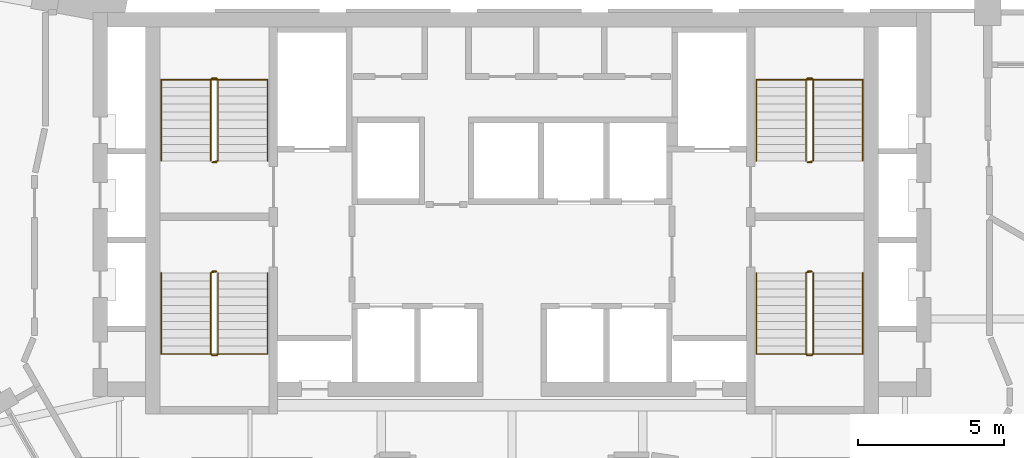
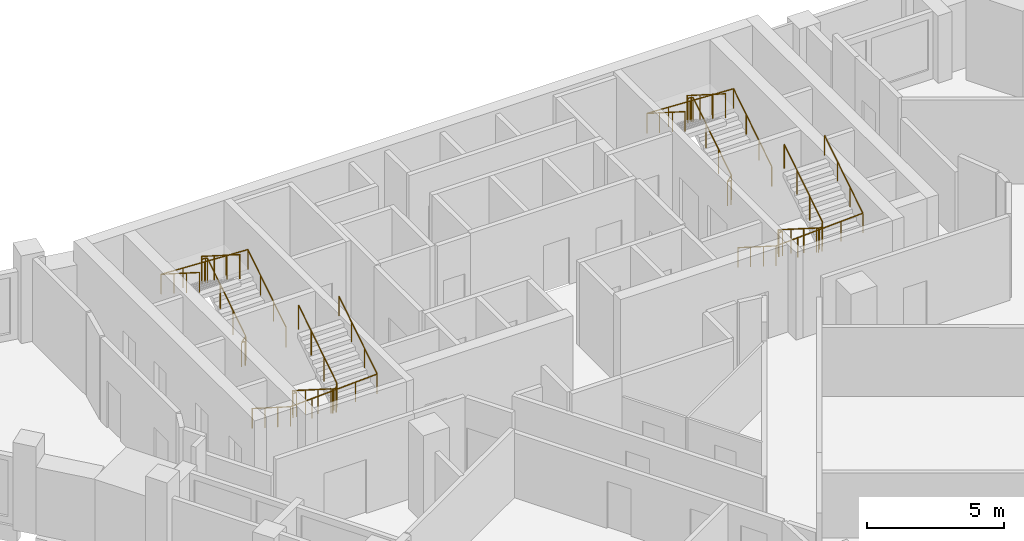
# One storey, part 9 of 9: 8 railings.
"""IFC4 building model written with IfcOpenShell, lengths in metres."""

from ifc_helpers import new_model, si_unit, direction, frame, origin, origin_2d, place, context, subcontext, project, spatial, circle, extrude, material, type_object, element, save


model = new_model("IFC4")

# Units and contexts
model_context = context("Model", 3, precision=1e-05, world=origin(), true_north=direction((0.0, 1.0)))
body_context = subcontext(model_context, "Body", "Model", "MODEL_VIEW")
ifc_project = project(units=[si_unit("LENGTHUNIT", "METRE"), si_unit("AREAUNIT", "SQUARE_METRE"), si_unit("VOLUMEUNIT", "CUBIC_METRE"), si_unit("PLANEANGLEUNIT", "RADIAN"), si_unit("MASSUNIT", "GRAM", prefix="KILO")], contexts=[model_context])

# Site, building, storey
site_placement = place(None, origin())
site = spatial("IfcSite", under=ifc_project, at=site_placement, CompositionType="ELEMENT")
building_placement = place(site_placement, origin())
building = spatial("IfcBuilding", under=site, at=building_placement, Name="Calabash Gate Tower", CompositionType="ELEMENT")
storey_placement = place(building_placement, frame((0.0, 0.0, 223.699951171875)))
storey = spatial("IfcBuildingStorey", under=building, at=storey_placement, Name="L53", CompositionType="ELEMENT", Elevation=223.699951171875)

# Railings
ifc_material_1 = material(Name="Black powder-coated steel balusters", Category="steel")
railing_type_1 = type_object("IfcRailingType", Name="Stair guard RL1100", PredefinedType="GUARDRAIL", material=ifc_material_1)
railing_1_placement = place(storey_placement, frame((-10.14990234375, 13.902587890625, 0.0)))
element("IfcRailing", 1, at=railing_1_placement, inside=storey, type_object=railing_type_1, Name="L53 ST1 stair guard 1", PredefinedType="GUARDRAIL", context=body_context, shape_type="SweptSolid", body=[
    extrude(circle(Radius=0.02392578125, at=origin_2d()), frame((0.0, 0.0, 1.076171875), z_axis=(-1.0, 0.0, 0.0), x_axis=(0.0, -1.0, 0.0)), (0.0, 0.0, 1.0), 0.150146484375),
    extrude(circle(Radius=0.02392578125, at=origin_2d()), frame((-0.150146484375, 0.0, 1.076171875), z_axis=(0.735524641326, 0.184105679453, 0.652003528208), x_axis=(-0.242814311512, 0.970072785993, 0.0)), (0.0, 0.0, 1.0), 0.271728515625),
    extrude(circle(Radius=0.02392578125, at=origin_2d()), frame((0.0498046875, 0.050048828125, 1.25341796875), z_axis=(0.0, 0.844041424197, 0.536277982245), x_axis=(-1.0, 0.0, 0.0)), (0.0, 0.0, 1.0), 3.3056640625),
    extrude(circle(Radius=0.02392578125, at=origin_2d()), frame((0.0498046875, 2.840087890625, 3.02587890625), z_axis=(-0.707106781187, 0.707106781187, 0.0), x_axis=(-0.707106781187, -0.707106781187, 0.0)), (0.0, 0.0, 1.0), 0.0703125),
    extrude(circle(Radius=0.02392578125, at=origin_2d()), frame((0.0, 2.889892578125, 3.02587890625), z_axis=(-1.0, 0.0, 0.0), x_axis=(0.0, -1.0, 0.0)), (0.0, 0.0, 1.0), 0.150146484375),
    extrude(circle(Radius=0.02392578125, at=origin_2d()), frame((-0.150146484375, 2.889892578125, 3.02587890625), z_axis=(-0.262009983441, -0.260731885961, 0.929176868105), x_axis=(0.705375805398, -0.708833529934, 0.0)), (0.0, 0.0, 1.0), 0.19091796875),
    extrude(circle(Radius=0.02392578125, at=origin_2d()), frame((-0.2001953125, 2.840087890625, 3.20361328125), z_axis=(0.0, -0.844041424197, 0.536277982245), x_axis=(1.0, 0.0, 0.0)), (0.0, 0.0, 1.0), 3.3056640625),
    extrude(circle(Radius=0.02099609375, at=origin_2d()), origin(), (0.0, 0.0, 1.0), 1.052001953125),
    extrude(circle(Radius=0.02099609375, at=origin_2d()), frame((-0.150146484375, 0.0, 0.0)), (0.0, 0.0, 1.0), 1.052001953125),
    extrude(circle(Radius=0.02099609375, at=origin_2d()), frame((0.0498046875, 0.050048828125, 0.17724609375)), (0.0, 0.0, 1.0), 1.052001953125),
    extrude(circle(Radius=0.02099609375, at=origin_2d()), frame((0.0498046875, 0.97998046875, 0.76806640625)), (0.0, 0.0, 1.0), 1.052001953125),
    extrude(circle(Radius=0.02099609375, at=origin_2d()), frame((0.0498046875, 1.91015625, 1.359130859375)), (0.0, 0.0, 1.0), 1.052001953125),
    extrude(circle(Radius=0.02099609375, at=origin_2d()), frame((0.0498046875, 2.840087890625, 1.949951171875)), (0.0, 0.0, 1.0), 1.052001953125),
    extrude(circle(Radius=0.02099609375, at=origin_2d()), frame((0.0, 2.889892578125, 1.949951171875)), (0.0, 0.0, 1.0), 1.052001953125),
    extrude(circle(Radius=0.02099609375, at=origin_2d()), frame((-0.150146484375, 2.889892578125, 1.949951171875)), (0.0, 0.0, 1.0), 1.052001953125),
    extrude(circle(Radius=0.02099609375, at=origin_2d()), frame((-0.2001953125, 2.840087890625, 2.12744140625)), (0.0, 0.0, 1.0), 1.052001953125),
    extrude(circle(Radius=0.02099609375, at=origin_2d()), frame((-0.2001953125, 1.91015625, 2.71826171875)), (0.0, 0.0, 1.0), 1.052001953125),
    extrude(circle(Radius=0.02099609375, at=origin_2d()), frame((-0.2001953125, 0.97998046875, 3.309326171875)), (0.0, 0.0, 1.0), 1.052001953125),
    extrude(circle(Radius=0.02099609375, at=origin_2d()), frame((-0.2001953125, 0.050048828125, 3.900146484375)), (0.0, 0.0, 1.0), 1.052001953125),
])
railing_2_placement = place(storey_placement, frame((-10.300048828125, 10.152587890625, 0.0)))
element("IfcRailing", 2, at=railing_2_placement, inside=storey, type_object=railing_type_1, Name="L53 ST2 stair guard 1", PredefinedType="GUARDRAIL", context=body_context, shape_type="SweptSolid", body=[
    extrude(circle(Radius=0.02392578125, at=origin_2d()), frame((0.0, 0.0, 1.076171875), z_axis=(1.0, 0.0, 0.0), x_axis=(0.0, 1.0, 0.0)), (0.0, 0.0, 1.0), 0.150146484375),
    extrude(circle(Radius=0.02392578125, at=origin_2d()), frame((0.150146484375, 0.0, 1.076171875), z_axis=(-0.735936453418, -0.183984113355, 0.651573006319), x_axis=(0.242535625036, -0.970142500145, 0.0)), (0.0, 0.0, 1.0), 0.27197265625),
    extrude(circle(Radius=0.02392578125, at=origin_2d()), frame((-0.050048828125, -0.050048828125, 1.25341796875), z_axis=(0.0, -0.844041424197, 0.536277982245), x_axis=(1.0, 0.0, 0.0)), (0.0, 0.0, 1.0), 3.3056640625),
    extrude(circle(Radius=0.02392578125, at=origin_2d()), frame((-0.050048828125, -2.840087890625, 3.02587890625), z_axis=(0.708833529934, -0.705375805398, 0.0), x_axis=(0.705375805398, 0.708833529934, 0.0)), (0.0, 0.0, 1.0), 0.070556640625),
    extrude(circle(Radius=0.02392578125, at=origin_2d()), frame((0.0, -2.889892578125, 3.02587890625), z_axis=(1.0, 0.0, 0.0), x_axis=(0.0, 1.0, 0.0)), (0.0, 0.0, 1.0), 0.150146484375),
    extrude(circle(Radius=0.02392578125, at=origin_2d()), frame((0.150146484375, -2.889892578125, 3.02587890625), z_axis=(0.26081902908, 0.26081902908, 0.92948742226), x_axis=(-0.707106781187, 0.707106781187, 0.0)), (0.0, 0.0, 1.0), 0.19091796875),
    extrude(circle(Radius=0.02392578125, at=origin_2d()), frame((0.199951171875, -2.840087890625, 3.20361328125), z_axis=(0.0, 0.844041424197, 0.536277982245), x_axis=(-1.0, 0.0, 0.0)), (0.0, 0.0, 1.0), 3.3056640625),
    extrude(circle(Radius=0.02099609375, at=origin_2d()), origin(), (0.0, 0.0, 1.0), 1.052001953125),
    extrude(circle(Radius=0.02099609375, at=origin_2d()), frame((0.150146484375, 0.0, 0.0)), (0.0, 0.0, 1.0), 1.052001953125),
    extrude(circle(Radius=0.02099609375, at=origin_2d()), frame((-0.050048828125, -0.050048828125, 0.17724609375)), (0.0, 0.0, 1.0), 1.052001953125),
    extrude(circle(Radius=0.02099609375, at=origin_2d()), frame((-0.050048828125, -0.97998046875, 0.76806640625)), (0.0, 0.0, 1.0), 1.052001953125),
    extrude(circle(Radius=0.02099609375, at=origin_2d()), frame((-0.050048828125, -1.91015625, 1.359130859375)), (0.0, 0.0, 1.0), 1.052001953125),
    extrude(circle(Radius=0.02099609375, at=origin_2d()), frame((-0.050048828125, -2.840087890625, 1.949951171875)), (0.0, 0.0, 1.0), 1.052001953125),
    extrude(circle(Radius=0.02099609375, at=origin_2d()), frame((0.0, -2.889892578125, 1.949951171875)), (0.0, 0.0, 1.0), 1.052001953125),
    extrude(circle(Radius=0.02099609375, at=origin_2d()), frame((0.150146484375, -2.889892578125, 1.949951171875)), (0.0, 0.0, 1.0), 1.052001953125),
    extrude(circle(Radius=0.02099609375, at=origin_2d()), frame((0.199951171875, -2.840087890625, 2.12744140625)), (0.0, 0.0, 1.0), 1.052001953125),
    extrude(circle(Radius=0.02099609375, at=origin_2d()), frame((0.199951171875, -1.91015625, 2.71826171875)), (0.0, 0.0, 1.0), 1.052001953125),
    extrude(circle(Radius=0.02099609375, at=origin_2d()), frame((0.199951171875, -0.97998046875, 3.309326171875)), (0.0, 0.0, 1.0), 1.052001953125),
    extrude(circle(Radius=0.02099609375, at=origin_2d()), frame((0.199951171875, -0.050048828125, 3.900146484375)), (0.0, 0.0, 1.0), 1.052001953125),
])
railing_3_placement = place(storey_placement, frame((10.300048828125, 13.902587890625, 0.0)))
element("IfcRailing", 3, at=railing_3_placement, inside=storey, type_object=railing_type_1, Name="L53 ST3 stair guard 1", PredefinedType="GUARDRAIL", context=body_context, shape_type="SweptSolid", body=[
    extrude(circle(Radius=0.02392578125, at=origin_2d()), frame((0.0, 0.0, 1.076171875), z_axis=(-1.0, 0.0, 0.0), x_axis=(0.0, -1.0, 0.0)), (0.0, 0.0, 1.0), 0.150146484375),
    extrude(circle(Radius=0.02392578125, at=origin_2d()), frame((-0.150146484375, 0.0, 1.076171875), z_axis=(0.735936453418, 0.183984113355, 0.651573006319), x_axis=(-0.242535625036, 0.970142500145, 0.0)), (0.0, 0.0, 1.0), 0.27197265625),
    extrude(circle(Radius=0.02392578125, at=origin_2d()), frame((0.050048828125, 0.050048828125, 1.25341796875), z_axis=(0.0, 0.844041424197, 0.536277982245), x_axis=(-1.0, 0.0, 0.0)), (0.0, 0.0, 1.0), 3.3056640625),
    extrude(circle(Radius=0.02392578125, at=origin_2d()), frame((0.050048828125, 2.840087890625, 3.02587890625), z_axis=(-0.708833529934, 0.705375805398, 0.0), x_axis=(-0.705375805398, -0.708833529934, 0.0)), (0.0, 0.0, 1.0), 0.070556640625),
    extrude(circle(Radius=0.02392578125, at=origin_2d()), frame((0.0, 2.889892578125, 3.02587890625), z_axis=(-1.0, 0.0, 0.0), x_axis=(0.0, -1.0, 0.0)), (0.0, 0.0, 1.0), 0.150146484375),
    extrude(circle(Radius=0.02392578125, at=origin_2d()), frame((-0.150146484375, 2.889892578125, 3.02587890625), z_axis=(-0.26081902908, -0.26081902908, 0.92948742226), x_axis=(0.707106781187, -0.707106781187, 0.0)), (0.0, 0.0, 1.0), 0.19091796875),
    extrude(circle(Radius=0.02392578125, at=origin_2d()), frame((-0.199951171875, 2.840087890625, 3.20361328125), z_axis=(0.0, -0.844041424197, 0.536277982245), x_axis=(1.0, 0.0, 0.0)), (0.0, 0.0, 1.0), 3.3056640625),
    extrude(circle(Radius=0.02099609375, at=origin_2d()), origin(), (0.0, 0.0, 1.0), 1.052001953125),
    extrude(circle(Radius=0.02099609375, at=origin_2d()), frame((-0.150146484375, 0.0, 0.0)), (0.0, 0.0, 1.0), 1.052001953125),
    extrude(circle(Radius=0.02099609375, at=origin_2d()), frame((0.050048828125, 0.050048828125, 0.17724609375)), (0.0, 0.0, 1.0), 1.052001953125),
    extrude(circle(Radius=0.02099609375, at=origin_2d()), frame((0.050048828125, 0.97998046875, 0.76806640625)), (0.0, 0.0, 1.0), 1.052001953125),
    extrude(circle(Radius=0.02099609375, at=origin_2d()), frame((0.050048828125, 1.91015625, 1.359130859375)), (0.0, 0.0, 1.0), 1.052001953125),
    extrude(circle(Radius=0.02099609375, at=origin_2d()), frame((0.050048828125, 2.840087890625, 1.949951171875)), (0.0, 0.0, 1.0), 1.052001953125),
    extrude(circle(Radius=0.02099609375, at=origin_2d()), frame((0.0, 2.889892578125, 1.949951171875)), (0.0, 0.0, 1.0), 1.052001953125),
    extrude(circle(Radius=0.02099609375, at=origin_2d()), frame((-0.150146484375, 2.889892578125, 1.949951171875)), (0.0, 0.0, 1.0), 1.052001953125),
    extrude(circle(Radius=0.02099609375, at=origin_2d()), frame((-0.199951171875, 2.840087890625, 2.12744140625)), (0.0, 0.0, 1.0), 1.052001953125),
    extrude(circle(Radius=0.02099609375, at=origin_2d()), frame((-0.199951171875, 1.91015625, 2.71826171875)), (0.0, 0.0, 1.0), 1.052001953125),
    extrude(circle(Radius=0.02099609375, at=origin_2d()), frame((-0.199951171875, 0.97998046875, 3.309326171875)), (0.0, 0.0, 1.0), 1.052001953125),
    extrude(circle(Radius=0.02099609375, at=origin_2d()), frame((-0.199951171875, 0.050048828125, 3.900146484375)), (0.0, 0.0, 1.0), 1.052001953125),
])
railing_4_placement = place(storey_placement, frame((10.14990234375, 10.152587890625, 0.0)))
element("IfcRailing", 4, at=railing_4_placement, inside=storey, type_object=railing_type_1, Name="L53 ST4 stair guard 1", PredefinedType="GUARDRAIL", context=body_context, shape_type="SweptSolid", body=[
    extrude(circle(Radius=0.02392578125, at=origin_2d()), frame((0.0, 0.0, 1.076171875), z_axis=(1.0, 0.0, 0.0), x_axis=(0.0, 1.0, 0.0)), (0.0, 0.0, 1.0), 0.150146484375),
    extrude(circle(Radius=0.02392578125, at=origin_2d()), frame((0.150146484375, 0.0, 1.076171875), z_axis=(-0.735524641326, -0.184105679453, 0.652003528208), x_axis=(0.242814311512, -0.970072785993, 0.0)), (0.0, 0.0, 1.0), 0.271728515625),
    extrude(circle(Radius=0.02392578125, at=origin_2d()), frame((-0.0498046875, -0.050048828125, 1.25341796875), z_axis=(0.0, -0.844041424197, 0.536277982245), x_axis=(1.0, 0.0, 0.0)), (0.0, 0.0, 1.0), 3.3056640625),
    extrude(circle(Radius=0.02392578125, at=origin_2d()), frame((-0.0498046875, -2.840087890625, 3.02587890625), z_axis=(0.707106781187, -0.707106781187, 0.0), x_axis=(0.707106781187, 0.707106781187, 0.0)), (0.0, 0.0, 1.0), 0.0703125),
    extrude(circle(Radius=0.02392578125, at=origin_2d()), frame((0.0, -2.889892578125, 3.02587890625), z_axis=(1.0, 0.0, 0.0), x_axis=(0.0, 1.0, 0.0)), (0.0, 0.0, 1.0), 0.150146484375),
    extrude(circle(Radius=0.02392578125, at=origin_2d()), frame((0.150146484375, -2.889892578125, 3.02587890625), z_axis=(0.262009983441, 0.260731885961, 0.929176868105), x_axis=(-0.705375805398, 0.708833529934, 0.0)), (0.0, 0.0, 1.0), 0.19091796875),
    extrude(circle(Radius=0.02392578125, at=origin_2d()), frame((0.2001953125, -2.840087890625, 3.20361328125), z_axis=(0.0, 0.844041424197, 0.536277982245), x_axis=(-1.0, 0.0, 0.0)), (0.0, 0.0, 1.0), 3.3056640625),
    extrude(circle(Radius=0.02099609375, at=origin_2d()), origin(), (0.0, 0.0, 1.0), 1.052001953125),
    extrude(circle(Radius=0.02099609375, at=origin_2d()), frame((0.150146484375, 0.0, 0.0)), (0.0, 0.0, 1.0), 1.052001953125),
    extrude(circle(Radius=0.02099609375, at=origin_2d()), frame((-0.0498046875, -0.050048828125, 0.17724609375)), (0.0, 0.0, 1.0), 1.052001953125),
    extrude(circle(Radius=0.02099609375, at=origin_2d()), frame((-0.0498046875, -0.97998046875, 0.76806640625)), (0.0, 0.0, 1.0), 1.052001953125),
    extrude(circle(Radius=0.02099609375, at=origin_2d()), frame((-0.0498046875, -1.91015625, 1.359130859375)), (0.0, 0.0, 1.0), 1.052001953125),
    extrude(circle(Radius=0.02099609375, at=origin_2d()), frame((-0.0498046875, -2.840087890625, 1.949951171875)), (0.0, 0.0, 1.0), 1.052001953125),
    extrude(circle(Radius=0.02099609375, at=origin_2d()), frame((0.0, -2.889892578125, 1.949951171875)), (0.0, 0.0, 1.0), 1.052001953125),
    extrude(circle(Radius=0.02099609375, at=origin_2d()), frame((0.150146484375, -2.889892578125, 1.949951171875)), (0.0, 0.0, 1.0), 1.052001953125),
    extrude(circle(Radius=0.02099609375, at=origin_2d()), frame((0.2001953125, -2.840087890625, 2.12744140625)), (0.0, 0.0, 1.0), 1.052001953125),
    extrude(circle(Radius=0.02099609375, at=origin_2d()), frame((0.2001953125, -1.91015625, 2.71826171875)), (0.0, 0.0, 1.0), 1.052001953125),
    extrude(circle(Radius=0.02099609375, at=origin_2d()), frame((0.2001953125, -0.97998046875, 3.309326171875)), (0.0, 0.0, 1.0), 1.052001953125),
    extrude(circle(Radius=0.02099609375, at=origin_2d()), frame((0.2001953125, -0.050048828125, 3.900146484375)), (0.0, 0.0, 1.0), 1.052001953125),
])
ifc_material_2 = material(Name="Black powder-coated steel tube 48 mm", Category="steel")
railing_type_2 = type_object("IfcRailingType", Name="Stair handrail RL900", PredefinedType="HANDRAIL", material=ifc_material_2)
railing_5_placement = place(storey_placement, frame((-8.39990234375, 13.95263671875, 0.17724609375)))
element("IfcRailing", 5, at=railing_5_placement, inside=storey, type_object=railing_type_2, Name="L53 ST1 stair handrail 1", PredefinedType="HANDRAIL", context=body_context, shape_type="SweptSolid", body=[
    extrude(circle(Radius=0.02392578125, at=origin_2d()), frame((0.0, 0.0, 0.8759765625), z_axis=(0.0, 0.844041424197, 0.536277982245), x_axis=(-1.0, 0.0, 0.0)), (0.0, 0.0, 1.0), 3.3056640625),
    extrude(circle(Radius=0.02392578125, at=origin_2d()), frame((0.0, 2.7900390625, 2.6484375), z_axis=(-0.998819872233, 0.0, 0.048568125685), x_axis=(0.0, -1.0, 0.0)), (0.0, 0.0, 1.0), 3.654541015625),
    extrude(circle(Radius=0.02392578125, at=origin_2d()), frame((-3.650146484375, 2.7900390625, 2.826171875), z_axis=(0.0, -0.844041424197, 0.536277982245), x_axis=(1.0, 0.0, 0.0)), (0.0, 0.0, 1.0), 3.3056640625),
    extrude(circle(Radius=0.02099609375, at=origin_2d()), origin(), (0.0, 0.0, 1.0), 0.851806640625),
    extrude(circle(Radius=0.02099609375, at=origin_2d()), frame((0.0, 0.929931640625, 0.5908203125)), (0.0, 0.0, 1.0), 0.851806640625),
    extrude(circle(Radius=0.02099609375, at=origin_2d()), frame((0.0, 1.860107421875, 1.181884765625)), (0.0, 0.0, 1.0), 0.851806640625),
    extrude(circle(Radius=0.02099609375, at=origin_2d()), frame((0.0, 2.7900390625, 1.772705078125)), (0.0, 0.0, 1.0), 0.851806640625),
    extrude(circle(Radius=0.02099609375, at=origin_2d()), frame((-0.91259765625, 2.7900390625, 1.817138671875)), (0.0, 0.0, 1.0), 0.851806640625),
    extrude(circle(Radius=0.02099609375, at=origin_2d()), frame((-1.8251953125, 2.7900390625, 1.861328125)), (0.0, 0.0, 1.0), 0.851806640625),
    extrude(circle(Radius=0.02099609375, at=origin_2d()), frame((-2.737548828125, 2.7900390625, 1.90576171875)), (0.0, 0.0, 1.0), 0.851806640625),
    extrude(circle(Radius=0.02099609375, at=origin_2d()), frame((-3.650146484375, 2.7900390625, 1.9501953125)), (0.0, 0.0, 1.0), 0.851806640625),
    extrude(circle(Radius=0.02099609375, at=origin_2d()), frame((-3.650146484375, 1.860107421875, 2.541015625)), (0.0, 0.0, 1.0), 0.851806640625),
    extrude(circle(Radius=0.02099609375, at=origin_2d()), frame((-3.650146484375, 0.929931640625, 3.132080078125)), (0.0, 0.0, 1.0), 0.851806640625),
    extrude(circle(Radius=0.02099609375, at=origin_2d()), frame((-3.650146484375, 0.0, 3.722900390625)), (0.0, 0.0, 1.0), 0.851806640625),
])
railing_6_placement = place(storey_placement, frame((-12.050048828125, 10.1025390625, 0.17724609375)))
element("IfcRailing", 6, at=railing_6_placement, inside=storey, type_object=railing_type_2, Name="L53 ST2 stair handrail 1", PredefinedType="HANDRAIL", context=body_context, shape_type="SweptSolid", body=[
    extrude(circle(Radius=0.02392578125, at=origin_2d()), frame((0.0, 0.0, 0.8759765625), z_axis=(0.0, -0.844041424197, 0.536277982245), x_axis=(1.0, 0.0, 0.0)), (0.0, 0.0, 1.0), 3.3056640625),
    extrude(circle(Radius=0.02392578125, at=origin_2d()), frame((0.0, -2.7900390625, 2.6484375), z_axis=(0.998819872233, 0.0, 0.048568125685), x_axis=(0.0, 1.0, 0.0)), (0.0, 0.0, 1.0), 3.654541015625),
    extrude(circle(Radius=0.02392578125, at=origin_2d()), frame((3.650146484375, -2.7900390625, 2.826171875), z_axis=(0.0, 0.844041424197, 0.536277982245), x_axis=(-1.0, 0.0, 0.0)), (0.0, 0.0, 1.0), 3.3056640625),
    extrude(circle(Radius=0.02099609375, at=origin_2d()), origin(), (0.0, 0.0, 1.0), 0.851806640625),
    extrude(circle(Radius=0.02099609375, at=origin_2d()), frame((0.0, -0.929931640625, 0.5908203125)), (0.0, 0.0, 1.0), 0.851806640625),
    extrude(circle(Radius=0.02099609375, at=origin_2d()), frame((0.0, -1.860107421875, 1.181884765625)), (0.0, 0.0, 1.0), 0.851806640625),
    extrude(circle(Radius=0.02099609375, at=origin_2d()), frame((0.0, -2.7900390625, 1.772705078125)), (0.0, 0.0, 1.0), 0.851806640625),
    extrude(circle(Radius=0.02099609375, at=origin_2d()), frame((0.91259765625, -2.7900390625, 1.817138671875)), (0.0, 0.0, 1.0), 0.851806640625),
    extrude(circle(Radius=0.02099609375, at=origin_2d()), frame((1.8251953125, -2.7900390625, 1.861328125)), (0.0, 0.0, 1.0), 0.851806640625),
    extrude(circle(Radius=0.02099609375, at=origin_2d()), frame((2.737548828125, -2.7900390625, 1.90576171875)), (0.0, 0.0, 1.0), 0.851806640625),
    extrude(circle(Radius=0.02099609375, at=origin_2d()), frame((3.650146484375, -2.7900390625, 1.9501953125)), (0.0, 0.0, 1.0), 0.851806640625),
    extrude(circle(Radius=0.02099609375, at=origin_2d()), frame((3.650146484375, -1.860107421875, 2.541015625)), (0.0, 0.0, 1.0), 0.851806640625),
    extrude(circle(Radius=0.02099609375, at=origin_2d()), frame((3.650146484375, -0.929931640625, 3.132080078125)), (0.0, 0.0, 1.0), 0.851806640625),
    extrude(circle(Radius=0.02099609375, at=origin_2d()), frame((3.650146484375, 0.0, 3.722900390625)), (0.0, 0.0, 1.0), 0.851806640625),
])
railing_7_placement = place(storey_placement, frame((12.050048828125, 13.95263671875, 0.17724609375)))
element("IfcRailing", 7, at=railing_7_placement, inside=storey, type_object=railing_type_2, Name="L53 ST3 stair handrail 1", PredefinedType="HANDRAIL", context=body_context, shape_type="SweptSolid", body=[
    extrude(circle(Radius=0.02392578125, at=origin_2d()), frame((0.0, 0.0, 0.8759765625), z_axis=(0.0, 0.844041424197, 0.536277982245), x_axis=(-1.0, 0.0, 0.0)), (0.0, 0.0, 1.0), 3.3056640625),
    extrude(circle(Radius=0.02392578125, at=origin_2d()), frame((0.0, 2.7900390625, 2.6484375), z_axis=(-0.998819872233, 0.0, 0.048568125685), x_axis=(0.0, -1.0, 0.0)), (0.0, 0.0, 1.0), 3.654541015625),
    extrude(circle(Radius=0.02392578125, at=origin_2d()), frame((-3.650146484375, 2.7900390625, 2.826171875), z_axis=(0.0, -0.844041424197, 0.536277982245), x_axis=(1.0, 0.0, 0.0)), (0.0, 0.0, 1.0), 3.3056640625),
    extrude(circle(Radius=0.02099609375, at=origin_2d()), origin(), (0.0, 0.0, 1.0), 0.851806640625),
    extrude(circle(Radius=0.02099609375, at=origin_2d()), frame((0.0, 0.929931640625, 0.5908203125)), (0.0, 0.0, 1.0), 0.851806640625),
    extrude(circle(Radius=0.02099609375, at=origin_2d()), frame((0.0, 1.860107421875, 1.181884765625)), (0.0, 0.0, 1.0), 0.851806640625),
    extrude(circle(Radius=0.02099609375, at=origin_2d()), frame((0.0, 2.7900390625, 1.772705078125)), (0.0, 0.0, 1.0), 0.851806640625),
    extrude(circle(Radius=0.02099609375, at=origin_2d()), frame((-0.91259765625, 2.7900390625, 1.817138671875)), (0.0, 0.0, 1.0), 0.851806640625),
    extrude(circle(Radius=0.02099609375, at=origin_2d()), frame((-1.8251953125, 2.7900390625, 1.861328125)), (0.0, 0.0, 1.0), 0.851806640625),
    extrude(circle(Radius=0.02099609375, at=origin_2d()), frame((-2.737548828125, 2.7900390625, 1.90576171875)), (0.0, 0.0, 1.0), 0.851806640625),
    extrude(circle(Radius=0.02099609375, at=origin_2d()), frame((-3.650146484375, 2.7900390625, 1.9501953125)), (0.0, 0.0, 1.0), 0.851806640625),
    extrude(circle(Radius=0.02099609375, at=origin_2d()), frame((-3.650146484375, 1.860107421875, 2.541015625)), (0.0, 0.0, 1.0), 0.851806640625),
    extrude(circle(Radius=0.02099609375, at=origin_2d()), frame((-3.650146484375, 0.929931640625, 3.132080078125)), (0.0, 0.0, 1.0), 0.851806640625),
    extrude(circle(Radius=0.02099609375, at=origin_2d()), frame((-3.650146484375, 0.0, 3.722900390625)), (0.0, 0.0, 1.0), 0.851806640625),
])
railing_8_placement = place(storey_placement, frame((8.39990234375, 10.1025390625, 0.17724609375)))
element("IfcRailing", 8, at=railing_8_placement, inside=storey, type_object=railing_type_2, Name="L53 ST4 stair handrail 1", PredefinedType="HANDRAIL", context=body_context, shape_type="SweptSolid", body=[
    extrude(circle(Radius=0.02392578125, at=origin_2d()), frame((0.0, 0.0, 0.8759765625), z_axis=(0.0, -0.844041424197, 0.536277982245), x_axis=(1.0, 0.0, 0.0)), (0.0, 0.0, 1.0), 3.3056640625),
    extrude(circle(Radius=0.02392578125, at=origin_2d()), frame((0.0, -2.7900390625, 2.6484375), z_axis=(0.998819872233, 0.0, 0.048568125685), x_axis=(0.0, 1.0, 0.0)), (0.0, 0.0, 1.0), 3.654541015625),
    extrude(circle(Radius=0.02392578125, at=origin_2d()), frame((3.650146484375, -2.7900390625, 2.826171875), z_axis=(0.0, 0.844041424197, 0.536277982245), x_axis=(-1.0, 0.0, 0.0)), (0.0, 0.0, 1.0), 3.3056640625),
    extrude(circle(Radius=0.02099609375, at=origin_2d()), origin(), (0.0, 0.0, 1.0), 0.851806640625),
    extrude(circle(Radius=0.02099609375, at=origin_2d()), frame((0.0, -0.929931640625, 0.5908203125)), (0.0, 0.0, 1.0), 0.851806640625),
    extrude(circle(Radius=0.02099609375, at=origin_2d()), frame((0.0, -1.860107421875, 1.181884765625)), (0.0, 0.0, 1.0), 0.851806640625),
    extrude(circle(Radius=0.02099609375, at=origin_2d()), frame((0.0, -2.7900390625, 1.772705078125)), (0.0, 0.0, 1.0), 0.851806640625),
    extrude(circle(Radius=0.02099609375, at=origin_2d()), frame((0.91259765625, -2.7900390625, 1.817138671875)), (0.0, 0.0, 1.0), 0.851806640625),
    extrude(circle(Radius=0.02099609375, at=origin_2d()), frame((1.8251953125, -2.7900390625, 1.861328125)), (0.0, 0.0, 1.0), 0.851806640625),
    extrude(circle(Radius=0.02099609375, at=origin_2d()), frame((2.737548828125, -2.7900390625, 1.90576171875)), (0.0, 0.0, 1.0), 0.851806640625),
    extrude(circle(Radius=0.02099609375, at=origin_2d()), frame((3.650146484375, -2.7900390625, 1.9501953125)), (0.0, 0.0, 1.0), 0.851806640625),
    extrude(circle(Radius=0.02099609375, at=origin_2d()), frame((3.650146484375, -1.860107421875, 2.541015625)), (0.0, 0.0, 1.0), 0.851806640625),
    extrude(circle(Radius=0.02099609375, at=origin_2d()), frame((3.650146484375, -0.929931640625, 3.132080078125)), (0.0, 0.0, 1.0), 0.851806640625),
    extrude(circle(Radius=0.02099609375, at=origin_2d()), frame((3.650146484375, 0.0, 3.722900390625)), (0.0, 0.0, 1.0), 0.851806640625),
])

save(model, "model.ifc")
